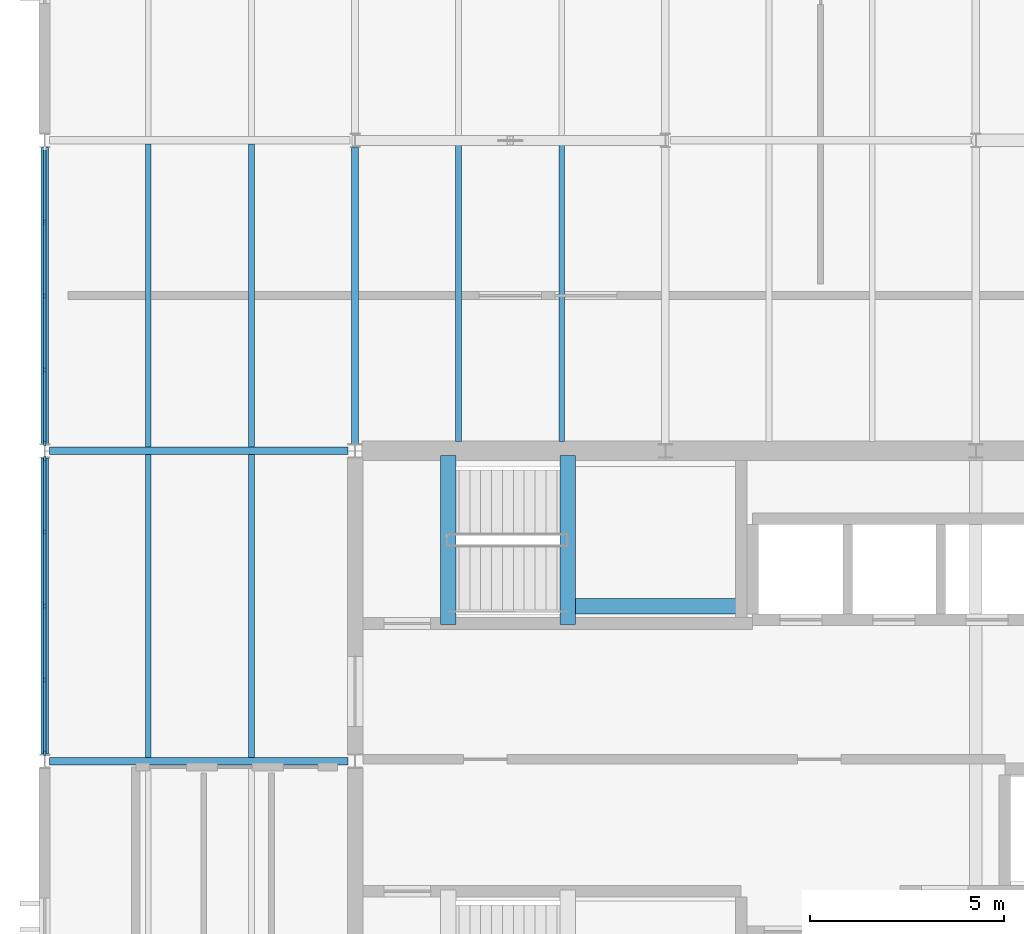
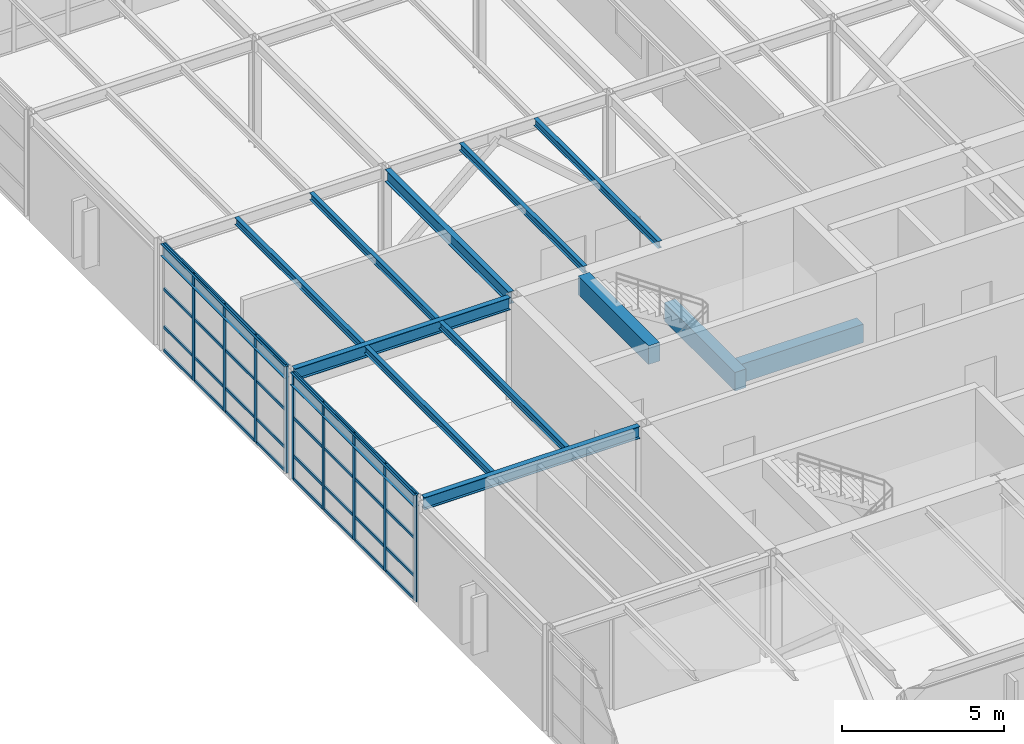
# One storey, part 7 of 21: 41 members, 14 beams, 2 elements without a shape of their own.
"""IFC4 building model written with IfcOpenShell, lengths in metres."""

from ifc_helpers import new_model, si_unit, direction, frame, origin, origin_2d, place, context, subcontext, project, spatial, rectangle, i_section, extrude, material, layer, layer_set, material_profile, profile_set, type_object, element, aggregate, save


model = new_model("IFC4")

# Units and contexts
model_context = context("Model", 3, precision=1e-05, world=origin(), true_north=direction((0.0, 1.0)))
body_context = subcontext(model_context, "Body", "Model", "MODEL_VIEW")
ifc_project = project(units=[si_unit("LENGTHUNIT", "METRE"), si_unit("AREAUNIT", "SQUARE_METRE"), si_unit("VOLUMEUNIT", "CUBIC_METRE"), si_unit("PLANEANGLEUNIT", "RADIAN"), si_unit("MASSUNIT", "GRAM", prefix="KILO")], contexts=[model_context])

# Site, building, storey
site_placement = place(None, origin())
site = spatial("IfcSite", under=ifc_project, at=site_placement, CompositionType="ELEMENT")
building_placement = place(site_placement, origin())
building = spatial("IfcBuilding", under=site, at=building_placement, Name="Varnela Railside Interchange", CompositionType="ELEMENT")
storey_placement = place(building_placement, frame((0.0, 0.0, 23.800048828125)))
storey = spatial("IfcBuildingStorey", under=building, at=storey_placement, Name="L05", CompositionType="ELEMENT", Elevation=23.800048828125)

# Beams
ifc_material_1 = material(Name="Steel AR 350 (350 MPa)", Category="steel")
ifc_material_profile_1 = material_profile(ifc_material_1, i_section(OverallWidth=0.14794921875, OverallDepth=0.26611328125, WebThickness=0.007568359375, FlangeThickness=0.012939453125, at=origin_2d()), Name="W250x44.8")
ifc_profile_set_1 = profile_set([ifc_material_profile_1], Name="Steel AR 350 (350 MPa)")
beam_type_1 = type_object("IfcBeamType", Name="Composite Floor Joist J-05", PredefinedType="JOIST", material=ifc_profile_set_1)
for number, where, z_axis, x_axis, name in (
    (1, (6.669921875, 62.095947265625, 3.886962890625), (0.0, 1.0, 0.0), (-1.0, 0.0, 0.0), "Composite Floor Joist J-05 (L05) (BM-2546)"),
    (2, (9.330078125, 62.095947265625, 3.886962890625), (0.0, 1.0, 0.0), (-1.0, 0.0, 0.0), "Composite Floor Joist J-05 (L05) (BM-2547)"),
    (3, (6.669921875, 70.095947265625, 3.886962890625), (0.0, 1.0, 0.0), (-1.0, 0.0, 0.0), "Composite Floor Joist J-05 (L05) (BM-2548)"),
    (4, (9.330078125, 70.095947265625, 3.886962890625), (0.0, 1.0, 0.0), (-1.0, 0.0, 0.0), "Composite Floor Joist J-05 (L05) (BM-2549)"),
):
    element("IfcBeam", number, at=place(storey_placement, frame(where, z_axis=z_axis, x_axis=x_axis)), inside=storey, type_object=beam_type_1, Name=name, PredefinedType="JOIST", context=body_context, shape_type="SweptSolid", body=[
        extrude(i_section(OverallWidth=0.14794921875, OverallDepth=0.26611328125, WebThickness=0.007568359375, FlangeThickness=0.012939453125, at=origin_2d()), origin(), (0.0, 0.0, 1.0), 7.80810546875),
    ])
for number, where, z_axis, x_axis, name in (
    (5, (14.669921875, 70.239990234375, 3.886962890625), (0.0, 1.0, 0.0), (-1.0, 0.0, 0.0), "Composite Floor Joist J-05 (L05) (BM-2556)"),
    (6, (17.330078125, 70.239990234375, 3.886962890625), (0.0, 1.0, 0.0), (-1.0, 0.0, 0.0), "Composite Floor Joist J-05 (L05) (BM-2557)"),
):
    element("IfcBeam", number, at=place(storey_placement, frame(where, z_axis=z_axis, x_axis=x_axis)), inside=storey, type_object=beam_type_1, Name=name, PredefinedType="JOIST", context=body_context, shape_type="SweptSolid", body=[
        extrude(i_section(OverallWidth=0.14794921875, OverallDepth=0.26611328125, WebThickness=0.007568359375, FlangeThickness=0.012939453125, at=origin_2d()), origin(), (0.0, 0.0, 1.0), 7.6640625),
    ])
ifc_material_profile_2 = material_profile(ifc_material_1, i_section(OverallWidth=0.18994140625, OverallDepth=0.45703125, WebThickness=0.009033203125, FlangeThickness=0.014404296875, at=origin_2d()), Name="W460x74")
ifc_profile_set_2 = profile_set([ifc_material_profile_2], Name="Steel AR 350 (350 MPa)")
beam_type_2 = type_object("IfcBeamType", Name="Composite Primary Beam B-21", PredefinedType="BEAM", material=ifc_profile_set_2)
beam_1_placement = place(storey_placement, frame((12.0, 70.179931640625, 3.79150390625), z_axis=(0.0, 1.0, 0.0), x_axis=(-1.0, 0.0, 0.0)))
element("IfcBeam", 7, at=beam_1_placement, inside=storey, type_object=beam_type_2, Name="Composite Primary Beam B-21 (L05) (BM-2610)", PredefinedType="BEAM", context=body_context, shape_type="SweptSolid", body=[
    extrude(i_section(OverallWidth=0.18994140625, OverallDepth=0.45703125, WebThickness=0.009033203125, FlangeThickness=0.014404296875, at=origin_2d()), origin(), (0.0, 0.0, 1.0), 7.638671875),
])
ifc_material_2 = material(Name="Concrete C40", Category="concrete")
ifc_material_profile_3 = material_profile(ifc_material_2, rectangle(XDim=0.39990234375, YDim=0.699951171875, at=origin_2d()), Name="RC 400x700")
ifc_profile_set_3 = profile_set([ifc_material_profile_3], Name="Concrete C40")
beam_type_3 = type_object("IfcBeamType", Name="Concrete Tie Beam B-01", PredefinedType="BEAM", material=ifc_profile_set_3)
for number, where, z_axis, x_axis, name in (
    (8, (14.39990234375, 65.52001953125, 3.669921875), (0.0, 1.0, 0.0), (-1.0, 0.0, 0.0), "Concrete Tie Beam B-01 (L05) (BM-2639)"),
    (9, (17.47998046875, 65.52001953125, 1.58984375), (0.0, 1.0, 0.0), (-1.0, 0.0, 0.0), "Concrete Tie Beam B-01 (L05) (BM-2637)"),
):
    element("IfcBeam", number, at=place(storey_placement, frame(where, z_axis=z_axis, x_axis=x_axis)), inside=storey, type_object=beam_type_3, Name=name, PredefinedType="BEAM", context=body_context, shape_type="SweptSolid", body=[
        extrude(rectangle(XDim=0.39990234375, YDim=0.699951171875, at=origin_2d()), origin(), (0.0, 0.0, 1.0), 4.35986328125),
    ])
beam_2_placement = place(storey_placement, frame((17.679931640625, 66.0, 1.58984375), z_axis=(1.0, 0.0, 0.0), x_axis=(0.0, 1.0, 0.0)))
element("IfcBeam", 10, at=beam_2_placement, inside=storey, type_object=beam_type_3, Name="Concrete Tie Beam B-01 (L05) (BM-2634)", PredefinedType="BEAM", context=body_context, shape_type="SweptSolid", body=[
    extrude(rectangle(XDim=0.39990234375, YDim=0.699951171875, at=origin_2d()), origin(), (0.0, 0.0, 1.0), 4.340087890625),
])

# Curtain wall, members
ifc_material_3 = material(Name="Aluminium 6063-T6", Category="aluminium")
ifc_layer = layer(ifc_material_3, 0.035888671875)
ifc_layer_set = layer_set([ifc_layer], Name="Aluminium 6063-T6")
curtain_wall_type = type_object("IfcCurtainWallType", Name="Operations Wing Facade Curtain Wall CW-03", PredefinedType="USERDEFINED", material=ifc_layer_set)
curtain_wall_1_placement = place(storey_placement, origin())
curtain_wall_1 = element("IfcCurtainWall", 11, at=curtain_wall_1_placement, inside=storey, type_object=curtain_wall_type, Name="Curtain Wall CW-03 (L05) (CW-135)", ObjectType="CURTAIN WALL", PredefinedType="USERDEFINED")
ifc_material_profile_4 = material_profile(ifc_material_3, rectangle(XDim=0.06005859375, YDim=0.139892578125, at=origin_2d()), Name="ALU 60x140")
ifc_profile_set_4 = profile_set([ifc_material_profile_4], Name="Aluminium 6063-T6")
member_type_1 = type_object("IfcMemberType", Name="Curtain Wall Mullion ML-01", PredefinedType="MULLION", material=ifc_profile_set_4)
member_1_placement = place(storey_placement, frame((4.0, 62.21142578125, 0.0), z_axis=(0.0, 0.0, 1.0), x_axis=(-1.0, 0.0, 0.0)))
member_1 = element("IfcMember", 12, at=member_1_placement, type_object=member_type_1, Name="CW-03 mullion 1", PredefinedType="MULLION", context=body_context, shape_type="SweptSolid", body=[
    extrude(rectangle(XDim=0.06005859375, YDim=0.139892578125, at=origin_2d()), origin(), (0.0, 0.0, 1.0), 4.02001953125),
])
member_2_placement = place(storey_placement, frame((4.0, 64.0908203125, 0.0), z_axis=(0.0, 0.0, 1.0), x_axis=(-1.0, 0.0, 0.0)))
member_2 = element("IfcMember", 13, at=member_2_placement, type_object=member_type_1, Name="CW-03 mullion 2", PredefinedType="MULLION", context=body_context, shape_type="SweptSolid", body=[
    extrude(rectangle(XDim=0.06005859375, YDim=0.139892578125, at=origin_2d()), origin(), (0.0, 0.0, 1.0), 4.02001953125),
])
member_3_placement = place(storey_placement, frame((4.0, 66.0, 0.0), z_axis=(0.0, 0.0, 1.0), x_axis=(-1.0, 0.0, 0.0)))
member_3 = element("IfcMember", 14, at=member_3_placement, type_object=member_type_1, Name="CW-03 mullion 3", PredefinedType="MULLION", context=body_context, shape_type="SweptSolid", body=[
    extrude(rectangle(XDim=0.06005859375, YDim=0.139892578125, at=origin_2d()), origin(), (0.0, 0.0, 1.0), 4.02001953125),
])
member_4_placement = place(storey_placement, frame((4.0, 67.9091796875, 0.0), z_axis=(0.0, 0.0, 1.0), x_axis=(-1.0, 0.0, 0.0)))
member_4 = element("IfcMember", 15, at=member_4_placement, type_object=member_type_1, Name="CW-03 mullion 4", PredefinedType="MULLION", context=body_context, shape_type="SweptSolid", body=[
    extrude(rectangle(XDim=0.06005859375, YDim=0.139892578125, at=origin_2d()), origin(), (0.0, 0.0, 1.0), 4.02001953125),
])
member_5_placement = place(storey_placement, frame((4.0, 69.78857421875, 0.0), z_axis=(0.0, 0.0, 1.0), x_axis=(-1.0, 0.0, 0.0)))
member_5 = element("IfcMember", 16, at=member_5_placement, type_object=member_type_1, Name="CW-03 mullion 5", PredefinedType="MULLION", context=body_context, shape_type="SweptSolid", body=[
    extrude(rectangle(XDim=0.06005859375, YDim=0.139892578125, at=origin_2d()), origin(), (0.0, 0.0, 1.0), 4.02001953125),
])

curtain_wall_2_placement = place(storey_placement, origin())
curtain_wall_2 = element("IfcCurtainWall", 17, at=curtain_wall_2_placement, inside=storey, type_object=curtain_wall_type, Name="Curtain Wall CW-03 (L05) (CW-136)", ObjectType="CURTAIN WALL", PredefinedType="USERDEFINED")
member_6_placement = place(storey_placement, frame((4.0, 70.21142578125, 0.0), z_axis=(0.0, 0.0, 1.0), x_axis=(-1.0, 0.0, 0.0)))
member_6 = element("IfcMember", 18, at=member_6_placement, type_object=member_type_1, Name="CW-03 mullion 1", PredefinedType="MULLION", context=body_context, shape_type="SweptSolid", body=[
    extrude(rectangle(XDim=0.06005859375, YDim=0.139892578125, at=origin_2d()), origin(), (0.0, 0.0, 1.0), 4.02001953125),
])
member_7_placement = place(storey_placement, frame((4.0, 72.0908203125, 0.0), z_axis=(0.0, 0.0, 1.0), x_axis=(-1.0, 0.0, 0.0)))
member_7 = element("IfcMember", 19, at=member_7_placement, type_object=member_type_1, Name="CW-03 mullion 2", PredefinedType="MULLION", context=body_context, shape_type="SweptSolid", body=[
    extrude(rectangle(XDim=0.06005859375, YDim=0.139892578125, at=origin_2d()), origin(), (0.0, 0.0, 1.0), 4.02001953125),
])
member_8_placement = place(storey_placement, frame((4.0, 74.0, 0.0), z_axis=(0.0, 0.0, 1.0), x_axis=(-1.0, 0.0, 0.0)))
member_8 = element("IfcMember", 20, at=member_8_placement, type_object=member_type_1, Name="CW-03 mullion 3", PredefinedType="MULLION", context=body_context, shape_type="SweptSolid", body=[
    extrude(rectangle(XDim=0.06005859375, YDim=0.139892578125, at=origin_2d()), origin(), (0.0, 0.0, 1.0), 4.02001953125),
])
member_9_placement = place(storey_placement, frame((4.0, 75.9091796875, 0.0), z_axis=(0.0, 0.0, 1.0), x_axis=(-1.0, 0.0, 0.0)))
member_9 = element("IfcMember", 21, at=member_9_placement, type_object=member_type_1, Name="CW-03 mullion 4", PredefinedType="MULLION", context=body_context, shape_type="SweptSolid", body=[
    extrude(rectangle(XDim=0.06005859375, YDim=0.139892578125, at=origin_2d()), origin(), (0.0, 0.0, 1.0), 4.02001953125),
])

# Member
ifc_material_profile_5 = material_profile(ifc_material_3, rectangle(XDim=0.06005859375, YDim=0.110107421875, at=origin_2d()), Name="ALU 60x110")
ifc_profile_set_5 = profile_set([ifc_material_profile_5], Name="Aluminium 6063-T6")
member_type_2 = type_object("IfcMemberType", Name="Curtain Wall Transom TR-01", PredefinedType="USERDEFINED", material=ifc_profile_set_5)
member_10_placement = place(storey_placement, frame((4.0, 62.241455078125, 0.030029296875), z_axis=(0.0, 1.0, 0.0), x_axis=(-1.0, 0.0, 0.0)))
member_10 = element("IfcMember", 22, at=member_10_placement, type_object=member_type_2, Name="CW-03 transom 1.1", ObjectType="TRANSOM", PredefinedType="USERDEFINED", context=body_context, shape_type="SweptSolid", body=[
    extrude(rectangle(XDim=0.06005859375, YDim=0.110107421875, at=origin_2d()), origin(), (0.0, 0.0, 1.0), 1.8193359375),
])

member_11_placement = place(storey_placement, frame((4.0, 62.241455078125, 0.89990234375), z_axis=(0.0, 1.0, 0.0), x_axis=(-1.0, 0.0, 0.0)))
member_11 = element("IfcMember", 23, at=member_11_placement, type_object=member_type_2, Name="CW-03 transom 1.2", ObjectType="TRANSOM", PredefinedType="USERDEFINED", context=body_context, shape_type="SweptSolid", body=[
    extrude(rectangle(XDim=0.06005859375, YDim=0.110107421875, at=origin_2d()), origin(), (0.0, 0.0, 1.0), 1.8193359375),
])

member_12_placement = place(storey_placement, frame((4.0, 62.241455078125, 2.33154296875), z_axis=(0.0, 1.0, 0.0), x_axis=(-1.0, 0.0, 0.0)))
member_12 = element("IfcMember", 24, at=member_12_placement, type_object=member_type_2, Name="CW-03 transom 1.3", ObjectType="TRANSOM", PredefinedType="USERDEFINED", context=body_context, shape_type="SweptSolid", body=[
    extrude(rectangle(XDim=0.06005859375, YDim=0.110107421875, at=origin_2d()), origin(), (0.0, 0.0, 1.0), 1.8193359375),
])

member_13_placement = place(storey_placement, frame((4.0, 62.241455078125, 3.989990234375), z_axis=(0.0, 1.0, 0.0), x_axis=(-1.0, 0.0, 0.0)))
member_13 = element("IfcMember", 25, at=member_13_placement, type_object=member_type_2, Name="CW-03 transom 1.4", ObjectType="TRANSOM", PredefinedType="USERDEFINED", context=body_context, shape_type="SweptSolid", body=[
    extrude(rectangle(XDim=0.06005859375, YDim=0.110107421875, at=origin_2d()), origin(), (0.0, 0.0, 1.0), 1.8193359375),
])

member_14_placement = place(storey_placement, frame((4.0, 64.120849609375, 0.030029296875), z_axis=(0.0, 1.0, 0.0), x_axis=(-1.0, 0.0, 0.0)))
member_14 = element("IfcMember", 26, at=member_14_placement, type_object=member_type_2, Name="CW-03 transom 2.1", ObjectType="TRANSOM", PredefinedType="USERDEFINED", context=body_context, shape_type="SweptSolid", body=[
    extrude(rectangle(XDim=0.06005859375, YDim=0.110107421875, at=origin_2d()), origin(), (0.0, 0.0, 1.0), 1.84912109375),
])

member_15_placement = place(storey_placement, frame((4.0, 64.120849609375, 0.89990234375), z_axis=(0.0, 1.0, 0.0), x_axis=(-1.0, 0.0, 0.0)))
member_15 = element("IfcMember", 27, at=member_15_placement, type_object=member_type_2, Name="CW-03 transom 2.2", ObjectType="TRANSOM", PredefinedType="USERDEFINED", context=body_context, shape_type="SweptSolid", body=[
    extrude(rectangle(XDim=0.06005859375, YDim=0.110107421875, at=origin_2d()), origin(), (0.0, 0.0, 1.0), 1.84912109375),
])

member_16_placement = place(storey_placement, frame((4.0, 64.120849609375, 2.33154296875), z_axis=(0.0, 1.0, 0.0), x_axis=(-1.0, 0.0, 0.0)))
member_16 = element("IfcMember", 28, at=member_16_placement, type_object=member_type_2, Name="CW-03 transom 2.3", ObjectType="TRANSOM", PredefinedType="USERDEFINED", context=body_context, shape_type="SweptSolid", body=[
    extrude(rectangle(XDim=0.06005859375, YDim=0.110107421875, at=origin_2d()), origin(), (0.0, 0.0, 1.0), 1.84912109375),
])

member_17_placement = place(storey_placement, frame((4.0, 64.120849609375, 3.989990234375), z_axis=(0.0, 1.0, 0.0), x_axis=(-1.0, 0.0, 0.0)))
member_17 = element("IfcMember", 29, at=member_17_placement, type_object=member_type_2, Name="CW-03 transom 2.4", ObjectType="TRANSOM", PredefinedType="USERDEFINED", context=body_context, shape_type="SweptSolid", body=[
    extrude(rectangle(XDim=0.06005859375, YDim=0.110107421875, at=origin_2d()), origin(), (0.0, 0.0, 1.0), 1.84912109375),
])

member_18_placement = place(storey_placement, frame((4.0, 66.030029296875, 0.030029296875), z_axis=(0.0, 1.0, 0.0), x_axis=(-1.0, 0.0, 0.0)))
member_18 = element("IfcMember", 30, at=member_18_placement, type_object=member_type_2, Name="CW-03 transom 3.1", ObjectType="TRANSOM", PredefinedType="USERDEFINED", context=body_context, shape_type="SweptSolid", body=[
    extrude(rectangle(XDim=0.06005859375, YDim=0.110107421875, at=origin_2d()), origin(), (0.0, 0.0, 1.0), 1.84912109375),
])

member_19_placement = place(storey_placement, frame((4.0, 66.030029296875, 0.89990234375), z_axis=(0.0, 1.0, 0.0), x_axis=(-1.0, 0.0, 0.0)))
member_19 = element("IfcMember", 31, at=member_19_placement, type_object=member_type_2, Name="CW-03 transom 3.2", ObjectType="TRANSOM", PredefinedType="USERDEFINED", context=body_context, shape_type="SweptSolid", body=[
    extrude(rectangle(XDim=0.06005859375, YDim=0.110107421875, at=origin_2d()), origin(), (0.0, 0.0, 1.0), 1.84912109375),
])

member_20_placement = place(storey_placement, frame((4.0, 66.030029296875, 2.33154296875), z_axis=(0.0, 1.0, 0.0), x_axis=(-1.0, 0.0, 0.0)))
member_20 = element("IfcMember", 32, at=member_20_placement, type_object=member_type_2, Name="CW-03 transom 3.3", ObjectType="TRANSOM", PredefinedType="USERDEFINED", context=body_context, shape_type="SweptSolid", body=[
    extrude(rectangle(XDim=0.06005859375, YDim=0.110107421875, at=origin_2d()), origin(), (0.0, 0.0, 1.0), 1.84912109375),
])

member_21_placement = place(storey_placement, frame((4.0, 66.030029296875, 3.989990234375), z_axis=(0.0, 1.0, 0.0), x_axis=(-1.0, 0.0, 0.0)))
member_21 = element("IfcMember", 33, at=member_21_placement, type_object=member_type_2, Name="CW-03 transom 3.4", ObjectType="TRANSOM", PredefinedType="USERDEFINED", context=body_context, shape_type="SweptSolid", body=[
    extrude(rectangle(XDim=0.06005859375, YDim=0.110107421875, at=origin_2d()), origin(), (0.0, 0.0, 1.0), 1.84912109375),
])

member_22_placement = place(storey_placement, frame((4.0, 67.939208984375, 0.030029296875), z_axis=(0.0, 1.0, 0.0), x_axis=(-1.0, 0.0, 0.0)))
member_22 = element("IfcMember", 34, at=member_22_placement, type_object=member_type_2, Name="CW-03 transom 4.1", ObjectType="TRANSOM", PredefinedType="USERDEFINED", context=body_context, shape_type="SweptSolid", body=[
    extrude(rectangle(XDim=0.06005859375, YDim=0.110107421875, at=origin_2d()), origin(), (0.0, 0.0, 1.0), 1.8193359375),
])

member_23_placement = place(storey_placement, frame((4.0, 67.939208984375, 0.89990234375), z_axis=(0.0, 1.0, 0.0), x_axis=(-1.0, 0.0, 0.0)))
member_23 = element("IfcMember", 35, at=member_23_placement, type_object=member_type_2, Name="CW-03 transom 4.2", ObjectType="TRANSOM", PredefinedType="USERDEFINED", context=body_context, shape_type="SweptSolid", body=[
    extrude(rectangle(XDim=0.06005859375, YDim=0.110107421875, at=origin_2d()), origin(), (0.0, 0.0, 1.0), 1.8193359375),
])

member_24_placement = place(storey_placement, frame((4.0, 67.939208984375, 2.33154296875), z_axis=(0.0, 1.0, 0.0), x_axis=(-1.0, 0.0, 0.0)))
member_24 = element("IfcMember", 36, at=member_24_placement, type_object=member_type_2, Name="CW-03 transom 4.3", ObjectType="TRANSOM", PredefinedType="USERDEFINED", context=body_context, shape_type="SweptSolid", body=[
    extrude(rectangle(XDim=0.06005859375, YDim=0.110107421875, at=origin_2d()), origin(), (0.0, 0.0, 1.0), 1.8193359375),
])

member_25_placement = place(storey_placement, frame((4.0, 67.939208984375, 3.989990234375), z_axis=(0.0, 1.0, 0.0), x_axis=(-1.0, 0.0, 0.0)))
member_25 = element("IfcMember", 37, at=member_25_placement, type_object=member_type_2, Name="CW-03 transom 4.4", ObjectType="TRANSOM", PredefinedType="USERDEFINED", context=body_context, shape_type="SweptSolid", body=[
    extrude(rectangle(XDim=0.06005859375, YDim=0.110107421875, at=origin_2d()), origin(), (0.0, 0.0, 1.0), 1.8193359375),
])

aggregate(curtain_wall_1, [member_1, member_2, member_3, member_4, member_5, member_10, member_11, member_12, member_13, member_14, member_15, member_16, member_17, member_18, member_19, member_20, member_21, member_22, member_23, member_24, member_25])

member_26_placement = place(storey_placement, frame((4.0, 70.241455078125, 0.030029296875), z_axis=(0.0, 1.0, 0.0), x_axis=(-1.0, 0.0, 0.0)))
member_26 = element("IfcMember", 38, at=member_26_placement, type_object=member_type_2, Name="CW-03 transom 1.1", ObjectType="TRANSOM", PredefinedType="USERDEFINED", context=body_context, shape_type="SweptSolid", body=[
    extrude(rectangle(XDim=0.06005859375, YDim=0.110107421875, at=origin_2d()), origin(), (0.0, 0.0, 1.0), 1.8193359375),
])

member_27_placement = place(storey_placement, frame((4.0, 70.241455078125, 0.89990234375), z_axis=(0.0, 1.0, 0.0), x_axis=(-1.0, 0.0, 0.0)))
member_27 = element("IfcMember", 39, at=member_27_placement, type_object=member_type_2, Name="CW-03 transom 1.2", ObjectType="TRANSOM", PredefinedType="USERDEFINED", context=body_context, shape_type="SweptSolid", body=[
    extrude(rectangle(XDim=0.06005859375, YDim=0.110107421875, at=origin_2d()), origin(), (0.0, 0.0, 1.0), 1.8193359375),
])

member_28_placement = place(storey_placement, frame((4.0, 70.241455078125, 2.33154296875), z_axis=(0.0, 1.0, 0.0), x_axis=(-1.0, 0.0, 0.0)))
member_28 = element("IfcMember", 40, at=member_28_placement, type_object=member_type_2, Name="CW-03 transom 1.3", ObjectType="TRANSOM", PredefinedType="USERDEFINED", context=body_context, shape_type="SweptSolid", body=[
    extrude(rectangle(XDim=0.06005859375, YDim=0.110107421875, at=origin_2d()), origin(), (0.0, 0.0, 1.0), 1.8193359375),
])

member_29_placement = place(storey_placement, frame((4.0, 70.241455078125, 3.989990234375), z_axis=(0.0, 1.0, 0.0), x_axis=(-1.0, 0.0, 0.0)))
member_29 = element("IfcMember", 41, at=member_29_placement, type_object=member_type_2, Name="CW-03 transom 1.4", ObjectType="TRANSOM", PredefinedType="USERDEFINED", context=body_context, shape_type="SweptSolid", body=[
    extrude(rectangle(XDim=0.06005859375, YDim=0.110107421875, at=origin_2d()), origin(), (0.0, 0.0, 1.0), 1.8193359375),
])

member_30_placement = place(storey_placement, frame((4.0, 72.120849609375, 0.030029296875), z_axis=(0.0, 1.0, 0.0), x_axis=(-1.0, 0.0, 0.0)))
member_30 = element("IfcMember", 42, at=member_30_placement, type_object=member_type_2, Name="CW-03 transom 2.1", ObjectType="TRANSOM", PredefinedType="USERDEFINED", context=body_context, shape_type="SweptSolid", body=[
    extrude(rectangle(XDim=0.06005859375, YDim=0.110107421875, at=origin_2d()), origin(), (0.0, 0.0, 1.0), 1.84912109375),
])

member_31_placement = place(storey_placement, frame((4.0, 72.120849609375, 0.89990234375), z_axis=(0.0, 1.0, 0.0), x_axis=(-1.0, 0.0, 0.0)))
member_31 = element("IfcMember", 43, at=member_31_placement, type_object=member_type_2, Name="CW-03 transom 2.2", ObjectType="TRANSOM", PredefinedType="USERDEFINED", context=body_context, shape_type="SweptSolid", body=[
    extrude(rectangle(XDim=0.06005859375, YDim=0.110107421875, at=origin_2d()), origin(), (0.0, 0.0, 1.0), 1.84912109375),
])

member_32_placement = place(storey_placement, frame((4.0, 72.120849609375, 2.33154296875), z_axis=(0.0, 1.0, 0.0), x_axis=(-1.0, 0.0, 0.0)))
member_32 = element("IfcMember", 44, at=member_32_placement, type_object=member_type_2, Name="CW-03 transom 2.3", ObjectType="TRANSOM", PredefinedType="USERDEFINED", context=body_context, shape_type="SweptSolid", body=[
    extrude(rectangle(XDim=0.06005859375, YDim=0.110107421875, at=origin_2d()), origin(), (0.0, 0.0, 1.0), 1.84912109375),
])

member_33_placement = place(storey_placement, frame((4.0, 72.120849609375, 3.989990234375), z_axis=(0.0, 1.0, 0.0), x_axis=(-1.0, 0.0, 0.0)))
member_33 = element("IfcMember", 45, at=member_33_placement, type_object=member_type_2, Name="CW-03 transom 2.4", ObjectType="TRANSOM", PredefinedType="USERDEFINED", context=body_context, shape_type="SweptSolid", body=[
    extrude(rectangle(XDim=0.06005859375, YDim=0.110107421875, at=origin_2d()), origin(), (0.0, 0.0, 1.0), 1.84912109375),
])

member_34_placement = place(storey_placement, frame((4.0, 74.030029296875, 0.030029296875), z_axis=(0.0, 1.0, 0.0), x_axis=(-1.0, 0.0, 0.0)))
member_34 = element("IfcMember", 46, at=member_34_placement, type_object=member_type_2, Name="CW-03 transom 3.1", ObjectType="TRANSOM", PredefinedType="USERDEFINED", context=body_context, shape_type="SweptSolid", body=[
    extrude(rectangle(XDim=0.06005859375, YDim=0.110107421875, at=origin_2d()), origin(), (0.0, 0.0, 1.0), 1.84912109375),
])

member_35_placement = place(storey_placement, frame((4.0, 74.030029296875, 0.89990234375), z_axis=(0.0, 1.0, 0.0), x_axis=(-1.0, 0.0, 0.0)))
member_35 = element("IfcMember", 47, at=member_35_placement, type_object=member_type_2, Name="CW-03 transom 3.2", ObjectType="TRANSOM", PredefinedType="USERDEFINED", context=body_context, shape_type="SweptSolid", body=[
    extrude(rectangle(XDim=0.06005859375, YDim=0.110107421875, at=origin_2d()), origin(), (0.0, 0.0, 1.0), 1.84912109375),
])

member_36_placement = place(storey_placement, frame((4.0, 74.030029296875, 2.33154296875), z_axis=(0.0, 1.0, 0.0), x_axis=(-1.0, 0.0, 0.0)))
member_36 = element("IfcMember", 48, at=member_36_placement, type_object=member_type_2, Name="CW-03 transom 3.3", ObjectType="TRANSOM", PredefinedType="USERDEFINED", context=body_context, shape_type="SweptSolid", body=[
    extrude(rectangle(XDim=0.06005859375, YDim=0.110107421875, at=origin_2d()), origin(), (0.0, 0.0, 1.0), 1.84912109375),
])

member_37_placement = place(storey_placement, frame((4.0, 74.030029296875, 3.989990234375), z_axis=(0.0, 1.0, 0.0), x_axis=(-1.0, 0.0, 0.0)))
member_37 = element("IfcMember", 49, at=member_37_placement, type_object=member_type_2, Name="CW-03 transom 3.4", ObjectType="TRANSOM", PredefinedType="USERDEFINED", context=body_context, shape_type="SweptSolid", body=[
    extrude(rectangle(XDim=0.06005859375, YDim=0.110107421875, at=origin_2d()), origin(), (0.0, 0.0, 1.0), 1.84912109375),
])

member_38_placement = place(storey_placement, frame((4.0, 75.939208984375, 0.030029296875), z_axis=(0.0, 1.0, 0.0), x_axis=(-1.0, 0.0, 0.0)))
member_38 = element("IfcMember", 50, at=member_38_placement, type_object=member_type_2, Name="CW-03 transom 4.1", ObjectType="TRANSOM", PredefinedType="USERDEFINED", context=body_context, shape_type="SweptSolid", body=[
    extrude(rectangle(XDim=0.06005859375, YDim=0.110107421875, at=origin_2d()), origin(), (0.0, 0.0, 1.0), 1.8193359375),
])

member_39_placement = place(storey_placement, frame((4.0, 75.939208984375, 0.89990234375), z_axis=(0.0, 1.0, 0.0), x_axis=(-1.0, 0.0, 0.0)))
member_39 = element("IfcMember", 51, at=member_39_placement, type_object=member_type_2, Name="CW-03 transom 4.2", ObjectType="TRANSOM", PredefinedType="USERDEFINED", context=body_context, shape_type="SweptSolid", body=[
    extrude(rectangle(XDim=0.06005859375, YDim=0.110107421875, at=origin_2d()), origin(), (0.0, 0.0, 1.0), 1.8193359375),
])

member_40_placement = place(storey_placement, frame((4.0, 75.939208984375, 2.33154296875), z_axis=(0.0, 1.0, 0.0), x_axis=(-1.0, 0.0, 0.0)))
member_40 = element("IfcMember", 52, at=member_40_placement, type_object=member_type_2, Name="CW-03 transom 4.3", ObjectType="TRANSOM", PredefinedType="USERDEFINED", context=body_context, shape_type="SweptSolid", body=[
    extrude(rectangle(XDim=0.06005859375, YDim=0.110107421875, at=origin_2d()), origin(), (0.0, 0.0, 1.0), 1.8193359375),
])

member_41_placement = place(storey_placement, frame((4.0, 75.939208984375, 3.989990234375), z_axis=(0.0, 1.0, 0.0), x_axis=(-1.0, 0.0, 0.0)))
member_41 = element("IfcMember", 53, at=member_41_placement, type_object=member_type_2, Name="CW-03 transom 4.4", ObjectType="TRANSOM", PredefinedType="USERDEFINED", context=body_context, shape_type="SweptSolid", body=[
    extrude(rectangle(XDim=0.06005859375, YDim=0.110107421875, at=origin_2d()), origin(), (0.0, 0.0, 1.0), 1.8193359375),
])

aggregate(curtain_wall_2, [member_6, member_7, member_8, member_9, member_26, member_27, member_28, member_29, member_30, member_31, member_32, member_33, member_34, member_35, member_36, member_37, member_38, member_39, member_40, member_41])

# Beams
ifc_material_profile_6 = material_profile(ifc_material_1, i_section(OverallWidth=0.19091796875, OverallDepth=0.4599609375, WebThickness=0.010009765625, FlangeThickness=0.01611328125, at=origin_2d()), Name="W460x82")
ifc_profile_set_6 = profile_set([ifc_material_profile_6], Name="Steel AR 350 (350 MPa)")
beam_type_4 = type_object("IfcBeamType", Name="Steel Perimeter Spandrel SP-01", PredefinedType="SPANDREL", material=ifc_profile_set_6)
for number, where, z_axis, x_axis, name in (
    (54, (4.12841796875, 62.0, 3.7900390625), (1.0, 0.0, 0.0), (0.0, 1.0, 0.0), "Steel Perimeter Spandrel SP-01 (L05) (BM-2581)"),
    (55, (4.12841796875, 70.0, 3.7900390625), (1.0, 0.0, 0.0), (0.0, 1.0, 0.0), "Steel Perimeter Spandrel SP-01 (L05) (BM-2584)"),
):
    element("IfcBeam", number, at=place(storey_placement, frame(where, z_axis=z_axis, x_axis=x_axis)), inside=storey, type_object=beam_type_4, Name=name, PredefinedType="SPANDREL", context=body_context, shape_type="SweptSolid", body=[
        extrude(i_section(OverallWidth=0.19091796875, OverallDepth=0.4599609375, WebThickness=0.010009765625, FlangeThickness=0.01611328125, at=origin_2d()), origin(), (0.0, 0.0, 1.0), 7.6865234375),
    ])
for number, where, z_axis, x_axis, name in (
    (56, (4.0, 62.181396484375, 3.7900390625), (0.0, 1.0, 0.0), (-1.0, 0.0, 0.0), "Steel Perimeter Spandrel SP-01 (L05) (BM-2605)"),
    (57, (4.0, 70.181396484375, 3.7900390625), (0.0, 1.0, 0.0), (-1.0, 0.0, 0.0), "Steel Perimeter Spandrel SP-01 (L05) (BM-2606)"),
):
    element("IfcBeam", number, at=place(storey_placement, frame(where, z_axis=z_axis, x_axis=x_axis)), inside=storey, type_object=beam_type_4, Name=name, PredefinedType="SPANDREL", context=body_context, shape_type="SweptSolid", body=[
        extrude(i_section(OverallWidth=0.19091796875, OverallDepth=0.4599609375, WebThickness=0.010009765625, FlangeThickness=0.01611328125, at=origin_2d()), origin(), (0.0, 0.0, 1.0), 7.63720703125),
    ])

save(model, "model.ifc")
